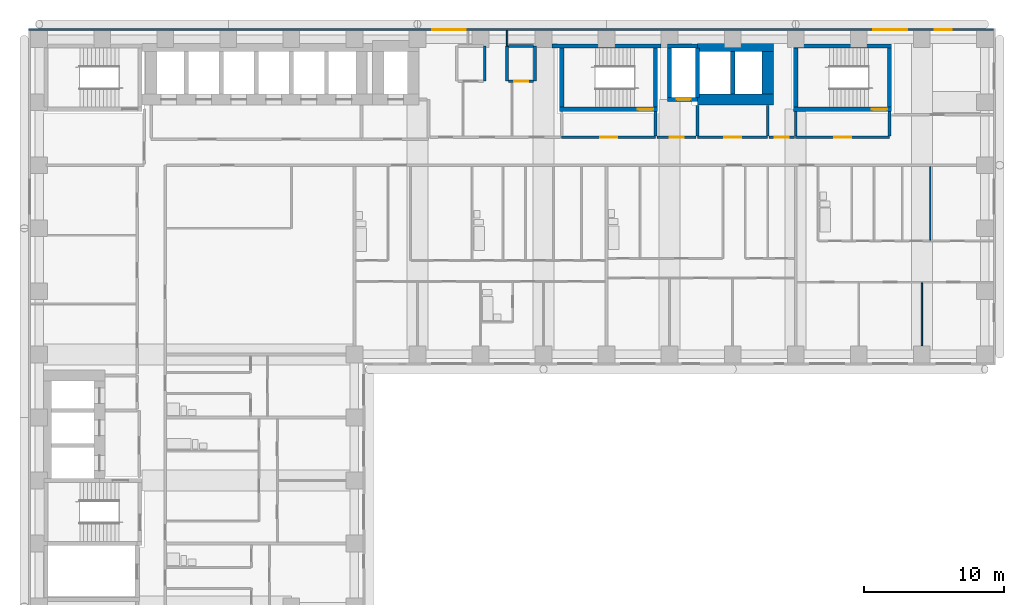
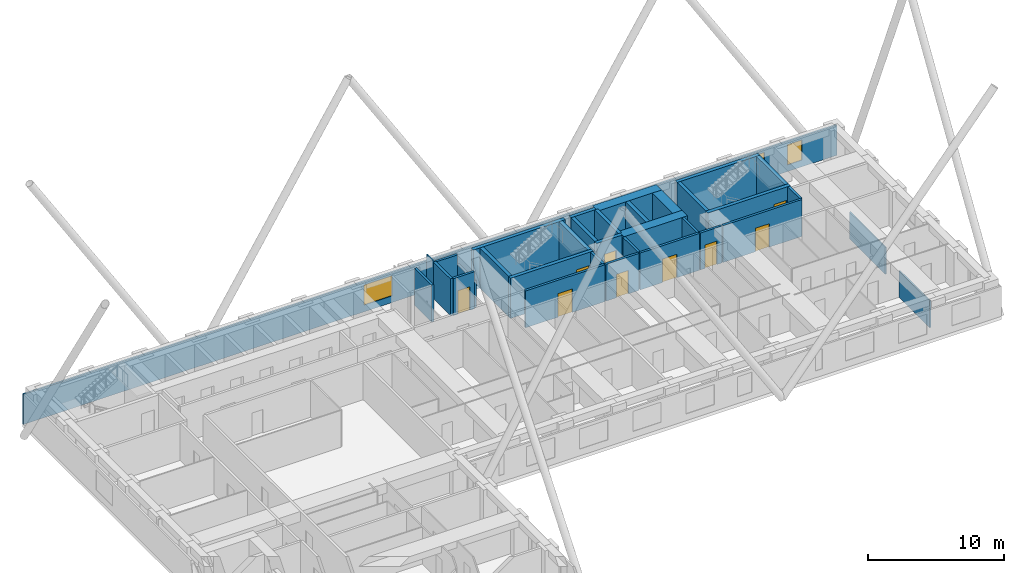
# One storey, part 9 of 13: 35 walls, 9 doors, 3 windows, 12 openings.
"""IFC4 building model written with IfcOpenShell, lengths in metres."""

from ifc_helpers import new_model, si_unit, direction, frame, frame_2d, origin, place, context, subcontext, project, spatial, rectangle, extrude, material, layer, layer_set, type_object, element, fill, save


model = new_model("IFC4")

# Units and contexts
model_context = context("Model", 3, precision=1e-05, world=origin(), true_north=direction((0.0, 1.0)))
body_context = subcontext(model_context, "Body", "Model", "MODEL_VIEW")
ifc_project = project(units=[si_unit("LENGTHUNIT", "METRE"), si_unit("AREAUNIT", "SQUARE_METRE"), si_unit("VOLUMEUNIT", "CUBIC_METRE"), si_unit("PLANEANGLEUNIT", "RADIAN"), si_unit("MASSUNIT", "GRAM", prefix="KILO")], contexts=[model_context])

# Site, building, storey
site_placement = place(None, origin())
site = spatial("IfcSite", under=ifc_project, at=site_placement, CompositionType="ELEMENT")
building_placement = place(site_placement, origin())
building = spatial("IfcBuilding", under=site, at=building_placement, Name="Firuza Court", CompositionType="ELEMENT")
storey_placement = place(building_placement, frame((0.0, 0.0, 50.60009765625)))
storey = spatial("IfcBuildingStorey", under=building, at=storey_placement, Name="L11", CompositionType="ELEMENT", Elevation=50.60009765625)

# Wall
ifc_material_1 = material(Name="Concrete C60/75", Category="concrete")
ifc_layer_1 = layer(ifc_material_1, 0.300048828125)
ifc_layer_set_1 = layer_set([ifc_layer_1], Name="Concrete C60/75")
wall_type_1 = type_object("IfcWallType", Name="Core wall 300 C60/75", PredefinedType="SHEAR", material=ifc_layer_set_1)
wall_1_placement = place(storey_placement, frame((36.60009765625, 58.0, -0.300048828125), z_axis=(0.0, 0.0, 1.0), x_axis=(1.0, 0.0, 0.0)))
element("IfcWall", 1, at=wall_1_placement, inside=storey, type_object=wall_type_1, Name="Core wall stair L11", PredefinedType="SHEAR", context=body_context, shape_type="SweptSolid", body=[
    extrude(rectangle(XDim=7.7998046875, YDim=0.300048828125, at=frame_2d((3.89990234375, 0.0))), origin(), (0.0, 0.0, 1.0), 3.599853515625),
])

# Wall, opening, door
wall_2_placement = place(storey_placement, frame((37.14990234375, 53.5, -0.300048828125), z_axis=(0.0, 0.0, 1.0), x_axis=(1.0, 0.0, 0.0)))
wall_2 = element("IfcWall", 2, at=wall_2_placement, inside=storey, type_object=wall_type_1, Name="Core wall stair L11", PredefinedType="SHEAR", context=body_context, shape_type="SweptSolid", body=[
    extrude(rectangle(XDim=7.0, YDim=0.300048828125, at=frame_2d((3.5, 0.0))), origin(), (0.0, 0.0, 1.0), 3.599853515625),
])
opening_1_placement = place(wall_2_placement, frame((5.580078125, 0.0, 0.300048828125)))
opening_1 = element("IfcOpeningElement", 3, at=opening_1_placement, cuts=wall_2, Name="Opening D11013", PredefinedType="OPENING", context=body_context, shape_type="SweptSolid", body=[
    extrude(rectangle(XDim=1.10009765625, YDim=2.10009765625, at=frame_2d((0.550048828125, 1.050048828125))), frame((0.0, 0.162109375, 0.0), z_axis=(0.0, -1.0, 0.0), x_axis=(1.0, 0.0, 0.0)), (0.0, 0.0, 1.0), 0.323974609375),
])
ifc_material_2 = material(Name="Timber door leaf in hardwood frame", Category="wood")
door_type_1 = type_object("IfcDoorType", Name="Stair door 1100", OperationType="SINGLE_SWING_LEFT", PredefinedType="DOOR", material=ifc_material_2)
door_1_placement = place(opening_1_placement, origin())
door_1 = element("IfcDoor", 4, at=door_1_placement, inside=storey, type_object=door_type_1, Name="Stair door S1", OperationType="SINGLE_SWING_RIGHT", OverallHeight=2.10009765625, OverallWidth=1.10009765625, PredefinedType="DOOR", context=body_context, shape_type="SweptSolid", body=[
    extrude(rectangle(XDim=1.10009765625, YDim=2.10009765625, at=frame_2d((0.550048828125, 1.050048828125))), frame((0.0, 0.02490234375, 0.0), z_axis=(0.0, -1.0, 0.0), x_axis=(1.0, 0.0, 0.0)), (0.0, 0.0, 1.0), 0.050048828125),
])
fill(opening_1, door_1)

# Walls
for number, where, z_axis, x_axis, name in (
    (5, (37.300048828125, 53.64990234375, -0.300048828125), (0.0, 0.0, 1.0), (0.0, 1.0, 0.0), "Core wall stair L11"),
    (6, (44.0, 53.64990234375, -0.300048828125), (0.0, 0.0, 1.0), (0.0, 1.0, 0.0), "Core wall stair L11"),
):
    element("IfcWall", number, at=place(storey_placement, frame(where, z_axis=z_axis, x_axis=x_axis)), inside=storey, type_object=wall_type_1, Name=name, PredefinedType="SHEAR", context=body_context, shape_type="SweptSolid", body=[
        extrude(rectangle(XDim=4.2001953125, YDim=0.300048828125, at=frame_2d((2.10009765625, 0.0))), origin(), (0.0, 0.0, 1.0), 3.599853515625),
    ])

# Wall, opening, door
wall_3_placement = place(storey_placement, frame((44.85009765625, 54.199951171875, -0.300048828125), z_axis=(0.0, 0.0, 1.0), x_axis=(1.0, 0.0, 0.0)))
wall_3 = element("IfcWall", 7, at=wall_3_placement, inside=storey, type_object=wall_type_1, Name="Core wall riser L11", PredefinedType="SHEAR", context=body_context, shape_type="SweptSolid", body=[
    extrude(rectangle(XDim=2.14990234375, YDim=0.300048828125, at=frame_2d((1.074951171875, 0.0))), origin(), (0.0, 0.0, 1.0), 3.599853515625),
])
opening_2_placement = place(wall_3_placement, frame((0.64990234375, 0.0, 0.300048828125)))
opening_2 = element("IfcOpeningElement", 8, at=opening_2_placement, cuts=wall_3, Name="Opening D11011", PredefinedType="OPENING", context=body_context, shape_type="SweptSolid", body=[
    extrude(rectangle(XDim=1.0, YDim=2.10009765625, at=frame_2d((0.5, 1.050048828125))), frame((0.0, 0.162109375, 0.0), z_axis=(0.0, -1.0, 0.0), x_axis=(1.0, 0.0, 0.0)), (0.0, 0.0, 1.0), 0.323974609375),
])
ifc_material_3 = material(Name="Timber door leaf in hardwood frame", Category="wood")
door_type_2 = type_object("IfcDoorType", Name="Riser door 1000", OperationType="SINGLE_SWING_LEFT", PredefinedType="DOOR", material=ifc_material_3)
door_2_placement = place(opening_2_placement, origin())
door_2 = element("IfcDoor", 9, at=door_2_placement, inside=storey, type_object=door_type_2, Name="Riser door R3", OperationType="SINGLE_SWING_LEFT", OverallHeight=2.10009765625, OverallWidth=1.0, PredefinedType="DOOR", context=body_context, shape_type="SweptSolid", body=[
    extrude(rectangle(XDim=1.0, YDim=2.10009765625, at=frame_2d((0.5, 1.050048828125))), frame((0.0, 0.02490234375, 0.0), z_axis=(0.0, -1.0, 0.0), x_axis=(1.0, 0.0, 0.0)), (0.0, 0.0, 1.0), 0.050048828125),
])
fill(opening_2, door_2)

# Walls
wall_4_placement = place(storey_placement, frame((44.85009765625, 58.0, -0.300048828125), z_axis=(0.0, 0.0, 1.0), x_axis=(1.0, 0.0, 0.0)))
element("IfcWall", 10, at=wall_4_placement, inside=storey, type_object=wall_type_1, Name="Core wall riser L11", PredefinedType="SHEAR", context=body_context, shape_type="SweptSolid", body=[
    extrude(rectangle(XDim=2.14990234375, YDim=0.300048828125, at=frame_2d((1.074951171875, 0.0))), origin(), (0.0, 0.0, 1.0), 3.599853515625),
])
for number, where, z_axis, x_axis, name in (
    (11, (45.0, 54.35009765625, -0.300048828125), (0.0, 0.0, 1.0), (0.0, 1.0, 0.0), "Core wall riser L11"),
    (12, (47.0, 54.35009765625, -0.300048828125), (0.0, 0.0, 1.0), (0.0, 1.0, 0.0), "Core wall lift shaft L11"),
):
    element("IfcWall", number, at=place(storey_placement, frame(where, z_axis=z_axis, x_axis=x_axis)), inside=storey, type_object=wall_type_1, Name=name, PredefinedType="SHEAR", context=body_context, shape_type="SweptSolid", body=[
        extrude(rectangle(XDim=3.5, YDim=0.300048828125, at=frame_2d((1.75, 0.0))), origin(), (0.0, 0.0, 1.0), 3.599853515625),
    ])
wall_5_placement = place(storey_placement, frame((49.5, 54.60009765625, -0.300048828125), z_axis=(0.0, 0.0, 1.0), x_axis=(0.0, 1.0, 0.0)))
element("IfcWall", 13, at=wall_5_placement, inside=storey, type_object=wall_type_1, Name="Core wall lift shaft L11", PredefinedType="SHEAR", context=body_context, shape_type="SweptSolid", body=[
    extrude(rectangle(XDim=3.0, YDim=0.300048828125, at=frame_2d((1.5, 0.0))), origin(), (0.0, 0.0, 1.0), 3.599853515625),
])

# Wall, opening, door
wall_6_placement = place(storey_placement, frame((53.85009765625, 53.5, -0.300048828125), z_axis=(0.0, 0.0, 1.0), x_axis=(1.0, 0.0, 0.0)))
wall_6 = element("IfcWall", 14, at=wall_6_placement, inside=storey, type_object=wall_type_1, Name="Core wall stair L11", PredefinedType="SHEAR", context=body_context, shape_type="SweptSolid", body=[
    extrude(rectangle(XDim=7.0, YDim=0.300048828125, at=frame_2d((3.5, 0.0))), origin(), (0.0, 0.0, 1.0), 3.599853515625),
])
opening_3_placement = place(wall_6_placement, frame((5.580078125, 0.0, 0.300048828125)))
opening_3 = element("IfcOpeningElement", 15, at=opening_3_placement, cuts=wall_6, Name="Opening D11017", PredefinedType="OPENING", context=body_context, shape_type="SweptSolid", body=[
    extrude(rectangle(XDim=1.10009765625, YDim=2.10009765625, at=frame_2d((0.550048828125, 1.050048828125))), frame((0.0, 0.162109375, 0.0), z_axis=(0.0, -1.0, 0.0), x_axis=(1.0, 0.0, 0.0)), (0.0, 0.0, 1.0), 0.323974609375),
])
door_3_placement = place(opening_3_placement, origin())
door_3 = element("IfcDoor", 16, at=door_3_placement, inside=storey, type_object=door_type_1, Name="Stair door S4", OperationType="SINGLE_SWING_RIGHT", OverallHeight=2.10009765625, OverallWidth=1.10009765625, PredefinedType="DOOR", context=body_context, shape_type="SweptSolid", body=[
    extrude(rectangle(XDim=1.10009765625, YDim=2.10009765625, at=frame_2d((0.550048828125, 1.050048828125))), frame((0.0, 0.02490234375, 0.0), z_axis=(0.0, -1.0, 0.0), x_axis=(1.0, 0.0, 0.0)), (0.0, 0.0, 1.0), 0.050048828125),
])
fill(opening_3, door_3)

# Walls
wall_7_placement = place(storey_placement, frame((53.85009765625, 58.0, -0.300048828125), z_axis=(0.0, 0.0, 1.0), x_axis=(1.0, 0.0, 0.0)))
element("IfcWall", 17, at=wall_7_placement, inside=storey, type_object=wall_type_1, Name="Core wall stair L11", PredefinedType="SHEAR", context=body_context, shape_type="SweptSolid", body=[
    extrude(rectangle(XDim=7.0, YDim=0.300048828125, at=frame_2d((3.5, 0.0))), origin(), (0.0, 0.0, 1.0), 3.599853515625),
])
for number, where, z_axis, x_axis, name in (
    (18, (54.0, 53.64990234375, -0.300048828125), (0.0, 0.0, 1.0), (0.0, 1.0, 0.0), "Core wall stair L11"),
    (19, (60.699951171875, 53.64990234375, -0.300048828125), (0.0, 0.0, 1.0), (0.0, 1.0, 0.0), "Core wall stair L11"),
):
    element("IfcWall", number, at=place(storey_placement, frame(where, z_axis=z_axis, x_axis=x_axis)), inside=storey, type_object=wall_type_1, Name=name, PredefinedType="SHEAR", context=body_context, shape_type="SweptSolid", body=[
        extrude(rectangle(XDim=4.2001953125, YDim=0.300048828125, at=frame_2d((2.10009765625, 0.0))), origin(), (0.0, 0.0, 1.0), 3.599853515625),
    ])
ifc_layer_2 = layer(ifc_material_1, 0.800048828125)
ifc_layer_set_2 = layer_set([ifc_layer_2], Name="Concrete C60/75")
wall_type_2 = type_object("IfcWallType", Name="Core wall 800 C60/75", PredefinedType="SHEAR", material=ifc_layer_set_2)
for number, where, z_axis, x_axis, name in (
    (20, (47.0, 54.199951171875, -0.300048828125), (0.0, 0.0, 1.0), (1.0, 0.0, 0.0), "Core wall lift shaft L11"),
    (21, (47.0, 58.0, -0.300048828125), (0.0, 0.0, 1.0), (1.0, 0.0, 0.0), "Core wall lift shaft L11"),
):
    element("IfcWall", number, at=place(storey_placement, frame(where, z_axis=z_axis, x_axis=x_axis)), inside=storey, type_object=wall_type_2, Name=name, PredefinedType="SHEAR", context=body_context, shape_type="SweptSolid", body=[
        extrude(rectangle(XDim=5.39990234375, YDim=0.800048828125, at=frame_2d((2.699951171875, 0.0))), origin(), (0.0, 0.0, 1.0), 3.599853515625),
    ])
wall_8_placement = place(storey_placement, frame((52.0, 54.60009765625, -0.300048828125), z_axis=(0.0, 0.0, 1.0), x_axis=(0.0, 1.0, 0.0)))
element("IfcWall", 22, at=wall_8_placement, inside=storey, type_object=wall_type_2, Name="Core wall lift shaft L11", PredefinedType="SHEAR", context=body_context, shape_type="SweptSolid", body=[
    extrude(rectangle(XDim=3.0, YDim=0.800048828125, at=frame_2d((1.5, 0.0))), origin(), (0.0, 0.0, 1.0), 3.599853515625),
])

# Wall, opening, door
ifc_material_4 = material(Name="Blockwork, plastered both sides", Category="masonry")
ifc_layer_3 = layer(ifc_material_4, 0.199951171875)
ifc_layer_set_3 = layer_set([ifc_layer_3], Name="Blockwork, plastered both sides")
wall_type_3 = type_object("IfcWallType", Name="Corridor wall 200", PredefinedType="PARTITIONING", material=ifc_layer_set_3)
wall_9_placement = place(storey_placement, frame((44.10009765625, 51.5, 0.0), z_axis=(0.0, 0.0, 1.0), x_axis=(1.0, 0.0, 0.0)))
wall_9 = element("IfcWall", 23, at=wall_9_placement, inside=storey, type_object=wall_type_3, Name="Corridor wall 200 L11", PredefinedType="PARTITIONING", context=body_context, shape_type="SweptSolid", body=[
    extrude(rectangle(XDim=2.7998046875, YDim=0.199951171875, at=frame_2d((1.39990234375, 0.0))), origin(), (0.0, 0.0, 1.0), 3.2998046875),
])
opening_4_placement = place(wall_9_placement, frame((0.89990234375, 0.0, 0.0)))
opening_4 = element("IfcOpeningElement", 24, at=opening_4_placement, cuts=wall_9, Name="Opening D11077", PredefinedType="OPENING", context=body_context, shape_type="SweptSolid", body=[
    extrude(rectangle(XDim=1.0, YDim=2.10009765625, at=frame_2d((0.5, 1.050048828125))), frame((0.0, 0.11181640625, 0.0), z_axis=(0.0, -1.0, 0.0), x_axis=(1.0, 0.0, 0.0)), (0.0, 0.0, 1.0), 0.223876953125),
])
ifc_material_5 = material(Name="Timber door leaf in hardwood frame", Category="wood")
door_type_3 = type_object("IfcDoorType", Name="Store door 1000", OperationType="SINGLE_SWING_LEFT", PredefinedType="DOOR", material=ifc_material_5)
door_4_placement = place(opening_4_placement, origin())
door_4 = element("IfcDoor", 25, at=door_4_placement, inside=storey, type_object=door_type_3, Name="Comms room door", OperationType="SINGLE_SWING_LEFT", OverallHeight=2.10009765625, OverallWidth=1.0, PredefinedType="DOOR", context=body_context, shape_type="SweptSolid", body=[
    extrude(rectangle(XDim=1.0, YDim=2.10009765625, at=frame_2d((0.5, 1.050048828125))), frame((0.0, 0.02490234375, 0.0), z_axis=(0.0, -1.0, 0.0), x_axis=(1.0, 0.0, 0.0)), (0.0, 0.0, 1.0), 0.050048828125),
])
fill(opening_4, door_4)

wall_10_placement = place(storey_placement, frame((52.10009765625, 51.5, 0.0), z_axis=(0.0, 0.0, 1.0), x_axis=(1.0, 0.0, 0.0)))
wall_10 = element("IfcWall", 26, at=wall_10_placement, inside=storey, type_object=wall_type_3, Name="Corridor wall 200 L11", PredefinedType="PARTITIONING", context=body_context, shape_type="SweptSolid", body=[
    extrude(rectangle(XDim=1.7998046875, YDim=0.199951171875, at=frame_2d((0.89990234375, 0.0))), origin(), (0.0, 0.0, 1.0), 3.2998046875),
])
opening_5_placement = place(wall_10_placement, frame((0.39990234375, 0.0, 0.0)))
opening_5 = element("IfcOpeningElement", 27, at=opening_5_placement, cuts=wall_10, Name="Opening D11078", PredefinedType="OPENING", context=body_context, shape_type="SweptSolid", body=[
    extrude(rectangle(XDim=1.0, YDim=2.10009765625, at=frame_2d((0.5, 1.050048828125))), frame((0.0, 0.11181640625, 0.0), z_axis=(0.0, -1.0, 0.0), x_axis=(1.0, 0.0, 0.0)), (0.0, 0.0, 1.0), 0.223876953125),
])
door_5_placement = place(opening_5_placement, origin())
door_5 = element("IfcDoor", 28, at=door_5_placement, inside=storey, type_object=door_type_3, Name="Bicycle store door", OperationType="SINGLE_SWING_LEFT", OverallHeight=2.10009765625, OverallWidth=1.0, PredefinedType="DOOR", context=body_context, shape_type="SweptSolid", body=[
    extrude(rectangle(XDim=1.0, YDim=2.10009765625, at=frame_2d((0.5, 1.050048828125))), frame((0.0, 0.02490234375, 0.0), z_axis=(0.0, -1.0, 0.0), x_axis=(1.0, 0.0, 0.0)), (0.0, 0.0, 1.0), 0.050048828125),
])
fill(opening_5, door_5)

# Walls
ifc_material_6 = material(Name="Timber stud partition, plasterboard both sides", Category="wood")
ifc_layer_4 = layer(ifc_material_6, 0.10009765625)
ifc_layer_set_4 = layer_set([ifc_layer_4], Name="Timber stud partition, plasterboard both sides")
wall_type_4 = type_object("IfcWallType", Name="Partition wall 100", PredefinedType="PARTITIONING", material=ifc_layer_set_4)
wall_11_placement = place(storey_placement, frame((63.0, 36.60009765625, 0.0), z_axis=(0.0, 0.0, 1.0), x_axis=(0.0, 1.0, 0.0)))
element("IfcWall", 29, at=wall_11_placement, inside=storey, type_object=wall_type_4, Name="Partition wall 100 L11", PredefinedType="PARTITIONING", context=body_context, shape_type="SweptSolid", body=[
    extrude(rectangle(XDim=4.5, YDim=0.10009765625, at=frame_2d((2.25, 0.0))), origin(), (0.0, 0.0, 1.0), 2.39990234375),
])
wall_12_placement = place(storey_placement, frame((63.60009765625, 44.14990234375, 0.0), z_axis=(0.0, 0.0, 1.0), x_axis=(0.0, 1.0, 0.0)))
element("IfcWall", 30, at=wall_12_placement, inside=storey, type_object=wall_type_4, Name="Partition wall 100 L11", PredefinedType="PARTITIONING", context=body_context, shape_type="SweptSolid", body=[
    extrude(rectangle(XDim=5.25, YDim=0.10009765625, at=frame_2d((2.625, 0.0))), origin(), (0.0, 0.0, 1.0), 2.39990234375),
])
wall_13_placement = place(storey_placement, frame((33.39990234375, 58.0, 0.0), z_axis=(0.0, 0.0, 1.0), x_axis=(0.0, 1.0, 0.0)))
element("IfcWall", 31, at=wall_13_placement, inside=storey, type_object=wall_type_4, Name="Partition wall 100 L11", PredefinedType="PARTITIONING", context=body_context, shape_type="SweptSolid", body=[
    extrude(rectangle(XDim=1.10009765625, YDim=0.10009765625, at=frame_2d((0.550048828125, 0.0))), origin(), (0.0, 0.0, 1.0), 3.2998046875),
])
ifc_material_7 = material(Name="Blockwork, fire-rated", Category="masonry")
ifc_layer_5 = layer(ifc_material_7, 0.199951171875)
ifc_layer_set_5 = layer_set([ifc_layer_5], Name="Blockwork, fire-rated")
wall_type_5 = type_object("IfcWallType", Name="Plant room wall 200", PredefinedType="PARTITIONING", material=ifc_layer_set_5)
for number, where, z_axis, x_axis, name in (
    (32, (31.800048828125, 55.5, 0.0), (0.0, 0.0, 1.0), (0.0, 1.0, 0.0), "Plant room wall 200 L11"),
    (33, (33.39990234375, 55.5, 0.0), (0.0, 0.0, 1.0), (0.0, 1.0, 0.0), "Plant room wall 200 L11"),
):
    element("IfcWall", number, at=place(storey_placement, frame(where, z_axis=z_axis, x_axis=x_axis)), inside=storey, type_object=wall_type_5, Name=name, PredefinedType="PARTITIONING", context=body_context, shape_type="SweptSolid", body=[
        extrude(rectangle(XDim=2.5, YDim=0.199951171875, at=frame_2d((1.25, 0.0))), origin(), (0.0, 0.0, 1.0), 3.2998046875),
    ])

# Wall, opening, door
wall_14_placement = place(storey_placement, frame((33.5, 55.5, 0.0), z_axis=(0.0, 0.0, 1.0), x_axis=(1.0, 0.0, 0.0)))
wall_14 = element("IfcWall", 34, at=wall_14_placement, inside=storey, type_object=wall_type_5, Name="Plant room wall 200 L11", PredefinedType="PARTITIONING", context=body_context, shape_type="SweptSolid", body=[
    extrude(rectangle(XDim=1.800048828125, YDim=0.199951171875, at=frame_2d((0.89990234375, 0.0))), origin(), (0.0, 0.0, 1.0), 3.2998046875),
])
opening_6_placement = place(wall_14_placement, frame((0.39990234375, 0.0, 0.0)))
opening_6 = element("IfcOpeningElement", 35, at=opening_6_placement, cuts=wall_14, Name="Opening D11081", PredefinedType="OPENING", context=body_context, shape_type="SweptSolid", body=[
    extrude(rectangle(XDim=1.0, YDim=2.10009765625, at=frame_2d((0.5, 1.050048828125))), frame((0.0, 0.11181640625, 0.0), z_axis=(0.0, -1.0, 0.0), x_axis=(1.0, 0.0, 0.0)), (0.0, 0.0, 1.0), 0.223876953125),
])
door_6_placement = place(opening_6_placement, origin())
door_6 = element("IfcDoor", 36, at=door_6_placement, inside=storey, type_object=door_type_2, Name="Duct riser door", OperationType="SINGLE_SWING_LEFT", OverallHeight=2.10009765625, OverallWidth=1.0, PredefinedType="DOOR", context=body_context, shape_type="SweptSolid", body=[
    extrude(rectangle(XDim=1.0, YDim=2.10009765625, at=frame_2d((0.5, 1.050048828125))), frame((0.0, 0.02490234375, 0.0), z_axis=(0.0, -1.0, 0.0), x_axis=(1.0, 0.0, 0.0)), (0.0, 0.0, 1.0), 0.050048828125),
])
fill(opening_6, door_6)

# Walls
wall_15_placement = place(storey_placement, frame((35.39990234375, 55.5, 0.0), z_axis=(0.0, 0.0, 1.0), x_axis=(0.0, 1.0, 0.0)))
element("IfcWall", 37, at=wall_15_placement, inside=storey, type_object=wall_type_5, Name="Plant room wall 200 L11", PredefinedType="PARTITIONING", context=body_context, shape_type="SweptSolid", body=[
    extrude(rectangle(XDim=2.5, YDim=0.199951171875, at=frame_2d((1.25, 0.0))), origin(), (0.0, 0.0, 1.0), 2.39990234375),
])
wall_16_placement = place(storey_placement, frame((33.5, 58.0, 0.0), z_axis=(0.0, 0.0, 1.0), x_axis=(1.0, 0.0, 0.0)))
element("IfcWall", 38, at=wall_16_placement, inside=storey, type_object=wall_type_5, Name="Plant room wall 200 L11", PredefinedType="PARTITIONING", context=body_context, shape_type="SweptSolid", body=[
    extrude(rectangle(XDim=1.800048828125, YDim=0.199951171875, at=frame_2d((0.89990234375, 0.0))), origin(), (0.0, 0.0, 1.0), 3.2998046875),
])

# Wall, openings, windows
ifc_material_8 = material(Name="Ceramic tile", Category="ceramic")
ifc_layer_6 = layer(ifc_material_8, 0.02001953125)
ifc_material_9 = material(Name="Mineral wool insulation", Category="insulation")
ifc_layer_7 = layer(ifc_material_9, 0.050048828125)
ifc_material_10 = material(Name="Concrete C40/50 precast", Category="concrete")
ifc_layer_8 = layer(ifc_material_10, 0.080078125)
ifc_layer_set_6 = layer_set([ifc_layer_6, ifc_layer_7, ifc_layer_8], Name="Concrete C40/50 precast")
wall_type_6 = type_object("IfcWallType", Name="Precast cladding wall with turquoise TILE PANEL face 150", PredefinedType="STANDARD", material=ifc_layer_set_6)
wall_17_placement = place(storey_placement, frame((68.10009765625, 59.175048828125, 0.0), z_axis=(0.0, 0.0, 1.0), x_axis=(-1.0, 0.0, 0.0)))
wall_17 = element("IfcWall", 39, at=wall_17_placement, inside=storey, type_object=wall_type_6, Name="Facade wall L11 N", PredefinedType="STANDARD", context=body_context, shape_type="SweptSolid", body=[
    extrude(rectangle(XDim=68.85009765625, YDim=0.14990234375, at=frame_2d((34.425048828125, 0.0))), origin(), (0.0, 0.0, 1.0), 2.699951171875),
])
opening_7_placement = place(wall_17_placement, frame((2.976806640625, 0.0, 0.60009765625)))
opening_7 = element("IfcOpeningElement", 40, at=opening_7_placement, cuts=wall_17, Name="Opening W8", PredefinedType="OPENING", context=body_context, shape_type="SweptSolid", body=[
    extrude(rectangle(XDim=1.199951171875, YDim=1.800048828125, at=frame_2d((0.60009765625, 0.89990234375))), frame((0.0, 0.0869140625, 0.0), z_axis=(0.0, -1.0, 0.0), x_axis=(1.0, 0.0, 0.0)), (0.0, 0.0, 1.0), 0.173828125),
])
opening_8_placement = place(wall_17_placement, frame((6.14990234375, 0.0, 0.60009765625)))
opening_8 = element("IfcOpeningElement", 41, at=opening_8_placement, cuts=wall_17, Name="Opening W1", PredefinedType="OPENING", context=body_context, shape_type="SweptSolid", body=[
    extrude(rectangle(XDim=2.39990234375, YDim=1.800048828125, at=frame_2d((1.199951171875, 0.89990234375))), frame((0.0, 0.0869140625, 0.0), z_axis=(0.0, -1.0, 0.0), x_axis=(1.0, 0.0, 0.0)), (0.0, 0.0, 1.0), 0.173828125),
])
opening_9_placement = place(wall_17_placement, frame((37.64990234375, 0.0, 0.60009765625)))
opening_9 = element("IfcOpeningElement", 42, at=opening_9_placement, cuts=wall_17, Name="Opening W1", PredefinedType="OPENING", context=body_context, shape_type="SweptSolid", body=[
    extrude(rectangle(XDim=2.39990234375, YDim=1.800048828125, at=frame_2d((1.199951171875, 0.89990234375))), frame((0.0, 0.0869140625, 0.0), z_axis=(0.0, -1.0, 0.0), x_axis=(1.0, 0.0, 0.0)), (0.0, 0.0, 1.0), 0.173828125),
])
ifc_material_11 = material(Name="Aluminium frame, triple clear glazing", Category="aluminium")
window_type_1 = type_object("IfcWindowType", Name="Window W1 2400 x 1800", PartitioningType="SINGLE_PANEL", PredefinedType="WINDOW", material=ifc_material_11)
window_1_placement = place(opening_8_placement, origin())
window_1 = element("IfcWindow", 43, at=window_1_placement, inside=storey, type_object=window_type_1, Name="Window L11", OverallHeight=1.800048828125, OverallWidth=2.39990234375, PartitioningType="SINGLE_PANEL", PredefinedType="WINDOW", context=body_context, shape_type="SweptSolid", body=[
    extrude(rectangle(XDim=2.39990234375, YDim=1.800048828125, at=frame_2d((1.199951171875, 0.89990234375))), frame((0.0, 0.030029296875, 0.0), z_axis=(0.0, -1.0, 0.0), x_axis=(1.0, 0.0, 0.0)), (0.0, 0.0, 1.0), 0.06005859375),
])
fill(opening_8, window_1)
window_2_placement = place(opening_9_placement, origin())
window_2 = element("IfcWindow", 44, at=window_2_placement, inside=storey, type_object=window_type_1, Name="Window L11", OverallHeight=1.800048828125, OverallWidth=2.39990234375, PartitioningType="SINGLE_PANEL", PredefinedType="WINDOW", context=body_context, shape_type="SweptSolid", body=[
    extrude(rectangle(XDim=2.39990234375, YDim=1.800048828125, at=frame_2d((1.199951171875, 0.89990234375))), frame((0.0, 0.030029296875, 0.0), z_axis=(0.0, -1.0, 0.0), x_axis=(1.0, 0.0, 0.0)), (0.0, 0.0, 1.0), 0.06005859375),
])
fill(opening_9, window_2)
ifc_material_12 = material(Name="Aluminium frame, triple clear glazing", Category="aluminium")
window_type_2 = type_object("IfcWindowType", Name="Window W8 1200 x 1800", PartitioningType="SINGLE_PANEL", PredefinedType="WINDOW", material=ifc_material_12)
window_3_placement = place(opening_7_placement, origin())
window_3 = element("IfcWindow", 45, at=window_3_placement, inside=storey, type_object=window_type_2, Name="Window L11", OverallHeight=1.800048828125, OverallWidth=1.199951171875, PartitioningType="SINGLE_PANEL", PredefinedType="WINDOW", context=body_context, shape_type="SweptSolid", body=[
    extrude(rectangle(XDim=1.199951171875, YDim=1.800048828125, at=frame_2d((0.60009765625, 0.89990234375))), frame((0.0, 0.030029296875, 0.0), z_axis=(0.0, -1.0, 0.0), x_axis=(1.0, 0.0, 0.0)), (0.0, 0.0, 1.0), 0.06005859375),
])
fill(opening_7, window_3)

# Wall, opening, door
ifc_layer_9 = layer(ifc_material_7, 0.199951171875)
ifc_layer_set_7 = layer_set([ifc_layer_9], Name="Blockwork, fire-rated")
wall_type_7 = type_object("IfcWallType", Name="Shaft wall 200", PredefinedType="PARTITIONING", material=ifc_layer_set_7)
wall_18_placement = place(storey_placement, frame((47.0, 51.5, 0.0), z_axis=(0.0, 0.0, 1.0), x_axis=(1.0, 0.0, 0.0)))
wall_18 = element("IfcWall", 46, at=wall_18_placement, inside=storey, type_object=wall_type_7, Name="Shaft wall 200 L11", PredefinedType="PARTITIONING", context=body_context, shape_type="SweptSolid", body=[
    extrude(rectangle(XDim=5.0, YDim=0.199951171875, at=frame_2d((2.5, 0.0))), origin(), (0.0, 0.0, 1.0), 3.2998046875),
])
opening_10_placement = place(wall_18_placement, frame((1.89990234375, 0.0, 0.0)))
opening_10 = element("IfcOpeningElement", 47, at=opening_10_placement, cuts=wall_18, Name="Opening D11009", PredefinedType="OPENING", context=body_context, shape_type="SweptSolid", body=[
    extrude(rectangle(XDim=1.199951171875, YDim=2.10009765625, at=frame_2d((0.60009765625, 1.050048828125))), frame((0.0, 0.11181640625, 0.0), z_axis=(0.0, -1.0, 0.0), x_axis=(1.0, 0.0, 0.0)), (0.0, 0.0, 1.0), 0.223876953125),
])
ifc_material_13 = material(Name="Timber door leaf in hardwood frame", Category="wood")
door_type_4 = type_object("IfcDoorType", Name="Lobby door 1200", OperationType="SINGLE_SWING_LEFT", PredefinedType="DOOR", material=ifc_material_13)
door_7_placement = place(opening_10_placement, origin())
door_7 = element("IfcDoor", 48, at=door_7_placement, inside=storey, type_object=door_type_4, Name="Lobby door", OperationType="SINGLE_SWING_LEFT", OverallHeight=2.10009765625, OverallWidth=1.199951171875, PredefinedType="DOOR", context=body_context, shape_type="SweptSolid", body=[
    extrude(rectangle(XDim=1.199951171875, YDim=2.10009765625, at=frame_2d((0.60009765625, 1.050048828125))), frame((0.0, 0.02490234375, 0.0), z_axis=(0.0, -1.0, 0.0), x_axis=(1.0, 0.0, 0.0)), (0.0, 0.0, 1.0), 0.050048828125),
])
fill(opening_10, door_7)

# Walls
for number, where, z_axis, x_axis, name in (
    (49, (52.0, 51.60009765625, 0.0), (0.0, 0.0, 1.0), (0.0, 1.0, 0.0), "Shaft wall 200 L11"),
    (50, (47.0, 51.60009765625, 0.0), (0.0, 0.0, 1.0), (0.0, 1.0, 0.0), "Shaft wall 200 L11"),
):
    element("IfcWall", number, at=place(storey_placement, frame(where, z_axis=z_axis, x_axis=x_axis)), inside=storey, type_object=wall_type_7, Name=name, PredefinedType="PARTITIONING", context=body_context, shape_type="SweptSolid", body=[
        extrude(rectangle(XDim=2.179931640625, YDim=0.199951171875, at=frame_2d((1.08984375, 0.0))), origin(), (0.0, 0.0, 1.0), 3.2998046875),
    ])

# Wall, opening, door
wall_19_placement = place(storey_placement, frame((37.300048828125, 51.5, 0.0), z_axis=(0.0, 0.0, 1.0), x_axis=(1.0, 0.0, 0.0)))
wall_19 = element("IfcWall", 51, at=wall_19_placement, inside=storey, type_object=wall_type_7, Name="Shaft wall 200 L11", PredefinedType="PARTITIONING", context=body_context, shape_type="SweptSolid", body=[
    extrude(rectangle(XDim=6.699951171875, YDim=0.199951171875, at=frame_2d((3.35009765625, 0.0))), origin(), (0.0, 0.0, 1.0), 3.2998046875),
])
opening_11_placement = place(wall_19_placement, frame((2.75, 0.0, 0.0)))
opening_11 = element("IfcOpeningElement", 52, at=opening_11_placement, cuts=wall_19, Name="Opening D11006", PredefinedType="OPENING", context=body_context, shape_type="SweptSolid", body=[
    extrude(rectangle(XDim=1.199951171875, YDim=2.10009765625, at=frame_2d((0.60009765625, 1.050048828125))), frame((0.0, 0.11181640625, 0.0), z_axis=(0.0, -1.0, 0.0), x_axis=(1.0, 0.0, 0.0)), (0.0, 0.0, 1.0), 0.223876953125),
])
door_8_placement = place(opening_11_placement, origin())
door_8 = element("IfcDoor", 53, at=door_8_placement, inside=storey, type_object=door_type_4, Name="Lobby door", OperationType="SINGLE_SWING_LEFT", OverallHeight=2.10009765625, OverallWidth=1.199951171875, PredefinedType="DOOR", context=body_context, shape_type="SweptSolid", body=[
    extrude(rectangle(XDim=1.199951171875, YDim=2.10009765625, at=frame_2d((0.60009765625, 1.050048828125))), frame((0.0, 0.02490234375, 0.0), z_axis=(0.0, -1.0, 0.0), x_axis=(1.0, 0.0, 0.0)), (0.0, 0.0, 1.0), 0.050048828125),
])
fill(opening_11, door_8)

# Wall
wall_20_placement = place(storey_placement, frame((44.0, 51.60009765625, 0.0), z_axis=(0.0, 0.0, 1.0), x_axis=(0.0, 1.0, 0.0)))
element("IfcWall", 54, at=wall_20_placement, inside=storey, type_object=wall_type_7, Name="Shaft wall 200 L11", PredefinedType="PARTITIONING", context=body_context, shape_type="SweptSolid", body=[
    extrude(rectangle(XDim=1.72998046875, YDim=0.199951171875, at=frame_2d((0.864990234375, 0.0))), origin(), (0.0, 0.0, 1.0), 3.2998046875),
])

# Wall, opening, door
wall_21_placement = place(storey_placement, frame((54.0, 51.5, 0.0), z_axis=(0.0, 0.0, 1.0), x_axis=(1.0, 0.0, 0.0)))
wall_21 = element("IfcWall", 55, at=wall_21_placement, inside=storey, type_object=wall_type_7, Name="Shaft wall 200 L11", PredefinedType="PARTITIONING", context=body_context, shape_type="SweptSolid", body=[
    extrude(rectangle(XDim=6.699951171875, YDim=0.199951171875, at=frame_2d((3.35009765625, 0.0))), origin(), (0.0, 0.0, 1.0), 3.2998046875),
])
opening_12_placement = place(wall_21_placement, frame((2.75, 0.0, 0.0)))
opening_12 = element("IfcOpeningElement", 56, at=opening_12_placement, cuts=wall_21, Name="Opening D11007", PredefinedType="OPENING", context=body_context, shape_type="SweptSolid", body=[
    extrude(rectangle(XDim=1.199951171875, YDim=2.10009765625, at=frame_2d((0.60009765625, 1.050048828125))), frame((0.0, 0.11181640625, 0.0), z_axis=(0.0, -1.0, 0.0), x_axis=(1.0, 0.0, 0.0)), (0.0, 0.0, 1.0), 0.223876953125),
])
door_9_placement = place(opening_12_placement, origin())
door_9 = element("IfcDoor", 57, at=door_9_placement, inside=storey, type_object=door_type_4, Name="Lobby door", OperationType="SINGLE_SWING_LEFT", OverallHeight=2.10009765625, OverallWidth=1.199951171875, PredefinedType="DOOR", context=body_context, shape_type="SweptSolid", body=[
    extrude(rectangle(XDim=1.199951171875, YDim=2.10009765625, at=frame_2d((0.60009765625, 1.050048828125))), frame((0.0, 0.02490234375, 0.0), z_axis=(0.0, -1.0, 0.0), x_axis=(1.0, 0.0, 0.0)), (0.0, 0.0, 1.0), 0.050048828125),
])
fill(opening_12, door_9)

# Walls
wall_22_placement = place(storey_placement, frame((60.699951171875, 51.60009765625, 0.0), z_axis=(0.0, 0.0, 1.0), x_axis=(0.0, 1.0, 0.0)))
element("IfcWall", 58, at=wall_22_placement, inside=storey, type_object=wall_type_7, Name="Shaft wall 200 L11", PredefinedType="PARTITIONING", context=body_context, shape_type="SweptSolid", body=[
    extrude(rectangle(XDim=1.72998046875, YDim=0.199951171875, at=frame_2d((0.864990234375, 0.0))), origin(), (0.0, 0.0, 1.0), 3.2998046875),
])
wall_23_placement = place(storey_placement, frame((54.0, 51.60009765625, 0.0), z_axis=(0.0, 0.0, 1.0), x_axis=(0.0, 1.0, 0.0)))
element("IfcWall", 59, at=wall_23_placement, inside=storey, type_object=wall_type_7, Name="Shaft wall 200 L11", PredefinedType="PARTITIONING", context=body_context, shape_type="SweptSolid", body=[
    extrude(rectangle(XDim=1.72998046875, YDim=0.199951171875, at=frame_2d((0.864990234375, 0.0))), origin(), (0.0, 0.0, 1.0), 2.599853515625),
])

save(model, "model.ifc")
